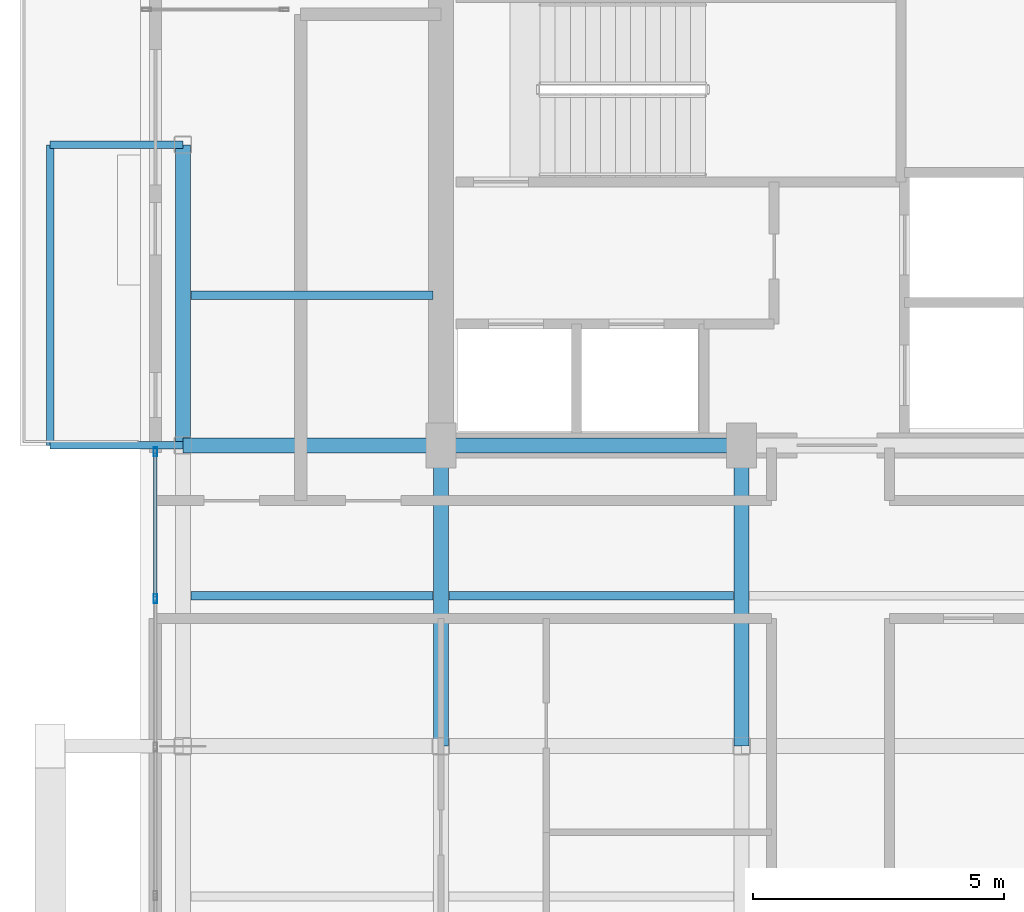
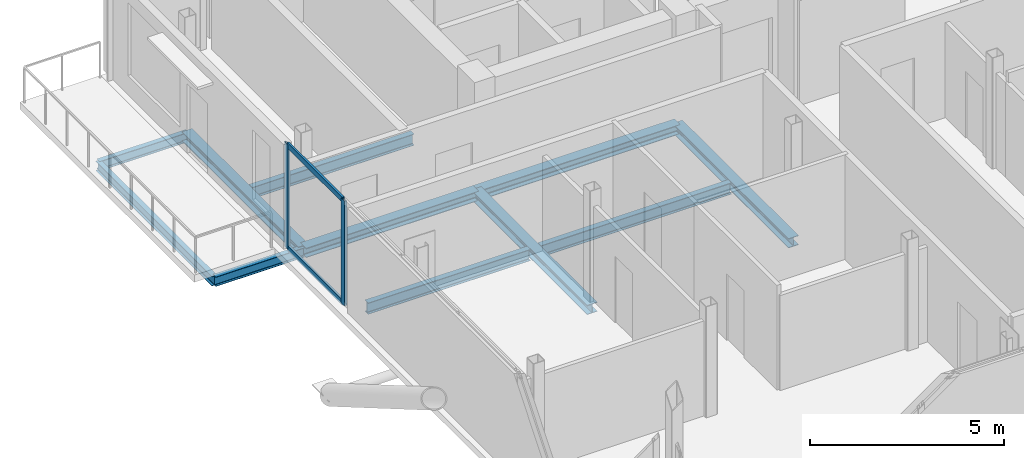
# One storey, part 6 of 18: 11 beams, 4 members, 1 element without a shape of its own.
"""IFC4 building model written with IfcOpenShell, lengths in metres."""

from ifc_helpers import new_model, si_unit, direction, frame, origin, origin_2d, place, context, subcontext, project, spatial, hollow_rectangle, i_section, extrude, material, layer, layer_set, material_profile, profile_set, type_object, element, aggregate, save


model = new_model("IFC4")

# Units and contexts
model_context = context("Model", 3, precision=1e-05, world=origin(), true_north=direction((0.0, 1.0)))
body_context = subcontext(model_context, "Body", "Model", "MODEL_VIEW")
ifc_project = project(units=[si_unit("LENGTHUNIT", "METRE"), si_unit("AREAUNIT", "SQUARE_METRE"), si_unit("VOLUMEUNIT", "CUBIC_METRE"), si_unit("PLANEANGLEUNIT", "RADIAN"), si_unit("MASSUNIT", "GRAM", prefix="KILO"), si_unit("THERMODYNAMICTEMPERATUREUNIT", "KELVIN"), si_unit("POWERUNIT", "WATT")], contexts=[model_context])

# Site, building, storey
site_placement = place(None, origin())
site = spatial("IfcSite", under=ifc_project, at=site_placement, CompositionType="ELEMENT")
building_placement = place(site_placement, origin())
building = spatial("IfcBuilding", under=site, at=building_placement, Name="Svarakhadi Broadcast Tower", CompositionType="ELEMENT")
storey_placement = place(building_placement, frame((0.0, 0.0, 246.699951171875)))
storey = spatial("IfcBuildingStorey", under=building, at=storey_placement, Name="L61", CompositionType="ELEMENT", Elevation=246.699951171875)

# Beams
ifc_material_1 = material(Name="Steel S355J2 (IS 2062 E350C)", Category="steel")
ifc_material_profile_1 = material_profile(ifc_material_1, i_section(OverallWidth=0.169921875, OverallDepth=0.360107421875, WebThickness=0.008056640625, FlangeThickness=0.0126953125, FilletRadius=0.01806640625, at=origin_2d()), Name="NPB 360x170x57")
ifc_profile_set_1 = profile_set([ifc_material_profile_1], Name="Steel S355J2 (IS 2062 E350C)")
beam_type_1 = type_object("IfcBeamType", Name="Beam_NPB360", PredefinedType="BEAM", material=ifc_profile_set_1)
for number, where, z_axis, x_axis, name in (
    (1, (1.010009765625, 15.0, -0.3798828125), (1.0, 0.0, 0.0), (0.0, 1.0, 0.0), "L61 Secondary Composite Beam SB002"),
    (2, (1.010009765625, 21.0, -0.3798828125), (1.0, 0.0, 0.0), (0.0, 1.0, 0.0), "L61 Secondary Composite Beam SB003"),
):
    element("IfcBeam", number, at=place(storey_placement, frame(where, z_axis=z_axis, x_axis=x_axis)), inside=storey, type_object=beam_type_1, Name=name, PredefinedType="BEAM", context=body_context, shape_type="SweptSolid", body=[
        extrude(i_section(OverallWidth=0.169921875, OverallDepth=0.360107421875, WebThickness=0.008056640625, FlangeThickness=0.0126953125, FilletRadius=0.01806640625, at=origin_2d()), origin(), (0.0, 0.0, 1.0), 4.830078125),
    ])
beam_1_placement = place(storey_placement, frame((6.159912109375, 15.0, -0.3798828125), z_axis=(1.0, 0.0, 0.0), x_axis=(0.0, 1.0, 0.0)))
element("IfcBeam", 3, at=beam_1_placement, inside=storey, type_object=beam_type_1, Name="L61 Secondary Composite Beam SB006", PredefinedType="BEAM", context=body_context, shape_type="SweptSolid", body=[
    extrude(i_section(OverallWidth=0.169921875, OverallDepth=0.360107421875, WebThickness=0.008056640625, FlangeThickness=0.0126953125, FilletRadius=0.01806640625, at=origin_2d()), origin(), (0.0, 0.0, 1.0), 5.68017578125),
])

# Curtain wall, members
ifc_material_2 = material(Name="Anodised Bronze Aluminium AA 6063-T6", Category="aluminium")
ifc_layer = layer(ifc_material_2, 0.179931640625)
ifc_layer_set = layer_set([ifc_layer], Name="Anodised Bronze Aluminium AA 6063-T6")
curtain_wall_type = type_object("IfcCurtainWallType", Name="CW_Sys_05", PredefinedType="NOTDEFINED", material=ifc_layer_set)
curtain_wall_placement = place(storey_placement, origin())
curtain_wall = element("IfcCurtainWall", 4, at=curtain_wall_placement, inside=storey, type_object=curtain_wall_type, Name="L61 West Curtain Wall 02", PredefinedType="NOTDEFINED")
ifc_material_profile_2 = material_profile(ifc_material_2, hollow_rectangle(XDim=0.070068359375, YDim=0.179931640625, WallThickness=0.005615234375, at=origin_2d()), Name="ALU MULLION 180x70x6")
ifc_profile_set_2 = profile_set([ifc_material_profile_2], Name="Anodised Bronze Aluminium AA 6063-T6")
member_type_1 = type_object("IfcMemberType", Name="CW_Sys_05_Mul", PredefinedType="MULLION", material=ifc_profile_set_2)
member_1_placement = place(storey_placement, frame((0.300048828125, 14.946044921875, 0.0), z_axis=(0.0, 0.0, 1.0), x_axis=(-1.0, 0.0, 0.0)))
member_1 = element("IfcMember", 5, at=member_1_placement, type_object=member_type_1, Name="CW-05 mullion 5", PredefinedType="MULLION", context=body_context, shape_type="SweptSolid", body=[
    extrude(hollow_rectangle(XDim=0.070068359375, YDim=0.179931640625, WallThickness=0.005615234375, at=origin_2d()), origin(), (0.0, 0.0, 1.0), 3.300048828125),
])
member_2_placement = place(storey_placement, frame((0.300048828125, 17.875, 0.0), z_axis=(0.0, 0.0, 1.0), x_axis=(-1.0, 0.0, 0.0)))
member_2 = element("IfcMember", 6, at=member_2_placement, type_object=member_type_1, Name="CW-05 mullion 6", PredefinedType="MULLION", context=body_context, shape_type="SweptSolid", body=[
    extrude(hollow_rectangle(XDim=0.070068359375, YDim=0.179931640625, WallThickness=0.005615234375, at=origin_2d()), origin(), (0.0, 0.0, 1.0), 3.300048828125),
])
ifc_material_profile_3 = material_profile(ifc_material_2, hollow_rectangle(XDim=0.06494140625, YDim=0.1650390625, WallThickness=0.0048828125, at=origin_2d()), Name="ALU TRANSOM 165x65x5")
ifc_profile_set_3 = profile_set([ifc_material_profile_3], Name="Anodised Bronze Aluminium AA 6063-T6")
member_type_2 = type_object("IfcMemberType", Name="CW_Sys_05_Trn", PredefinedType="USERDEFINED", material=ifc_profile_set_3)
member_3_placement = place(storey_placement, frame((0.300048828125, 14.98095703125, 0.032470703125), z_axis=(0.0, 1.0, 0.0), x_axis=(-1.0, 0.0, 0.0)))
member_3 = element("IfcMember", 7, at=member_3_placement, type_object=member_type_2, Name="CW-05 transom 5.1", ObjectType="TRANSOM", PredefinedType="USERDEFINED", context=body_context, shape_type="SweptSolid", body=[
    extrude(hollow_rectangle(XDim=0.06494140625, YDim=0.1650390625, WallThickness=0.0048828125, at=origin_2d()), origin(), (0.0, 0.0, 1.0), 2.859130859375),
])
member_4_placement = place(storey_placement, frame((0.300048828125, 14.98095703125, 3.267578125), z_axis=(0.0, 1.0, 0.0), x_axis=(-1.0, 0.0, 0.0)))
member_4 = element("IfcMember", 8, at=member_4_placement, type_object=member_type_2, Name="CW-05 transom 5.2", ObjectType="TRANSOM", PredefinedType="USERDEFINED", context=body_context, shape_type="SweptSolid", body=[
    extrude(hollow_rectangle(XDim=0.06494140625, YDim=0.1650390625, WallThickness=0.0048828125, at=origin_2d()), origin(), (0.0, 0.0, 1.0), 2.859130859375),
])
aggregate(curtain_wall, [member_1, member_2, member_3, member_4])

# Beams
ifc_material_profile_4 = material_profile(ifc_material_1, i_section(OverallWidth=0.300048828125, OverallDepth=0.300048828125, WebThickness=0.010986328125, FlangeThickness=0.01904296875, FilletRadius=0.027099609375, at=origin_2d()), Name="WPB 300x300x117")
ifc_profile_set_4 = profile_set([ifc_material_profile_4], Name="Steel S355J2 (IS 2062 E350C)")
beam_type_2 = type_object("IfcBeamType", Name="Girder_WPB300", PredefinedType="USERDEFINED", material=ifc_profile_set_4)
beam_2_placement = place(storey_placement, frame((0.85009765625, 18.0, -0.349853515625), z_axis=(1.0, 0.0, 0.0), x_axis=(0.0, 1.0, 0.0)))
element("IfcBeam", 9, at=beam_2_placement, inside=storey, type_object=beam_type_2, Name="L61 Primary E-W Girder G017", ObjectType="GIRDER", PredefinedType="USERDEFINED", context=body_context, shape_type="SweptSolid", body=[
    extrude(i_section(OverallWidth=0.300048828125, OverallDepth=0.300048828125, WebThickness=0.010986328125, FlangeThickness=0.01904296875, FilletRadius=0.027099609375, at=origin_2d()), origin(), (0.0, 0.0, 1.0), 5.14990234375),
])
for number, where, z_axis, x_axis, name in (
    (10, (6.0, 18.0, -0.349853515625), (1.0, 0.0, 0.0), (0.0, 1.0, 0.0), "L61 Primary E-W Girder G018"),
    (11, (0.85009765625, 18.0, -0.349853515625), (0.0, 1.0, 0.0), (-1.0, 0.0, 0.0), "L61 Primary N-S Girder G028"),
    (12, (6.0, 12.0, -0.349853515625), (0.0, 1.0, 0.0), (-1.0, 0.0, 0.0), "L61 Primary N-S Girder G031"),
    (13, (12.0, 12.0, -0.349853515625), (0.0, 1.0, 0.0), (-1.0, 0.0, 0.0), "L61 Primary N-S Girder G035"),
):
    element("IfcBeam", number, at=place(storey_placement, frame(where, z_axis=z_axis, x_axis=x_axis)), inside=storey, type_object=beam_type_2, Name=name, ObjectType="GIRDER", PredefinedType="USERDEFINED", context=body_context, shape_type="SweptSolid", body=[
        extrude(i_section(OverallWidth=0.300048828125, OverallDepth=0.300048828125, WebThickness=0.010986328125, FlangeThickness=0.01904296875, FilletRadius=0.027099609375, at=origin_2d()), origin(), (0.0, 0.0, 1.0), 6.0),
    ])
ifc_material_profile_5 = material_profile(ifc_material_1, i_section(OverallWidth=0.14990234375, OverallDepth=0.300048828125, WebThickness=0.007080078125, FlangeThickness=0.0107421875, FilletRadius=0.014892578125, at=origin_2d()), Name="NPB 300x150x37")
ifc_profile_set_5 = profile_set([ifc_material_profile_5], Name="Steel S355J2 (IS 2062 E350C)")
beam_type_3 = type_object("IfcBeamType", Name="Spandrel_NPB300", PredefinedType="SPANDREL", material=ifc_profile_set_5)
for number, where, z_axis, x_axis, name in (
    (14, (0.85009765625, 18.0, -0.375), (-1.0, 0.0, 0.0), (0.0, -1.0, 0.0), "L61 Balcony Cantilever Bracket 2A"),
    (15, (0.85009765625, 24.0, -0.375), (-1.0, 0.0, 0.0), (0.0, -1.0, 0.0), "L61 Balcony Cantilever Bracket 2B"),
):
    element("IfcBeam", number, at=place(storey_placement, frame(where, z_axis=z_axis, x_axis=x_axis)), inside=storey, type_object=beam_type_3, Name=name, PredefinedType="SPANDREL", context=body_context, shape_type="SweptSolid", body=[
        extrude(i_section(OverallWidth=0.14990234375, OverallDepth=0.300048828125, WebThickness=0.007080078125, FlangeThickness=0.0107421875, FilletRadius=0.014892578125, at=origin_2d()), origin(), (0.0, 0.0, 1.0), 2.650146484375),
    ])
beam_3_placement = place(storey_placement, frame((-1.800048828125, 18.0, -0.375), z_axis=(0.0, 1.0, 0.0), x_axis=(-1.0, 0.0, 0.0)))
element("IfcBeam", 16, at=beam_3_placement, inside=storey, type_object=beam_type_3, Name="L61 Balcony Outer Spandrel 2F", PredefinedType="SPANDREL", context=body_context, shape_type="SweptSolid", body=[
    extrude(i_section(OverallWidth=0.14990234375, OverallDepth=0.300048828125, WebThickness=0.007080078125, FlangeThickness=0.0107421875, FilletRadius=0.014892578125, at=origin_2d()), origin(), (0.0, 0.0, 1.0), 6.0),
])

save(model, "model.ifc")
